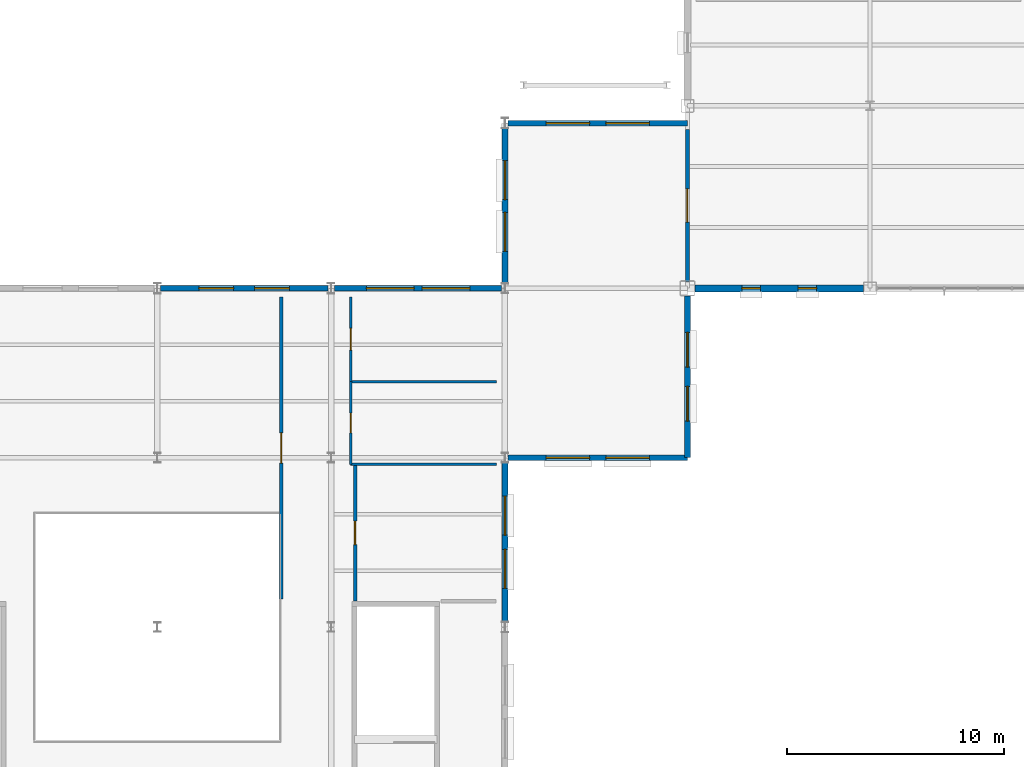
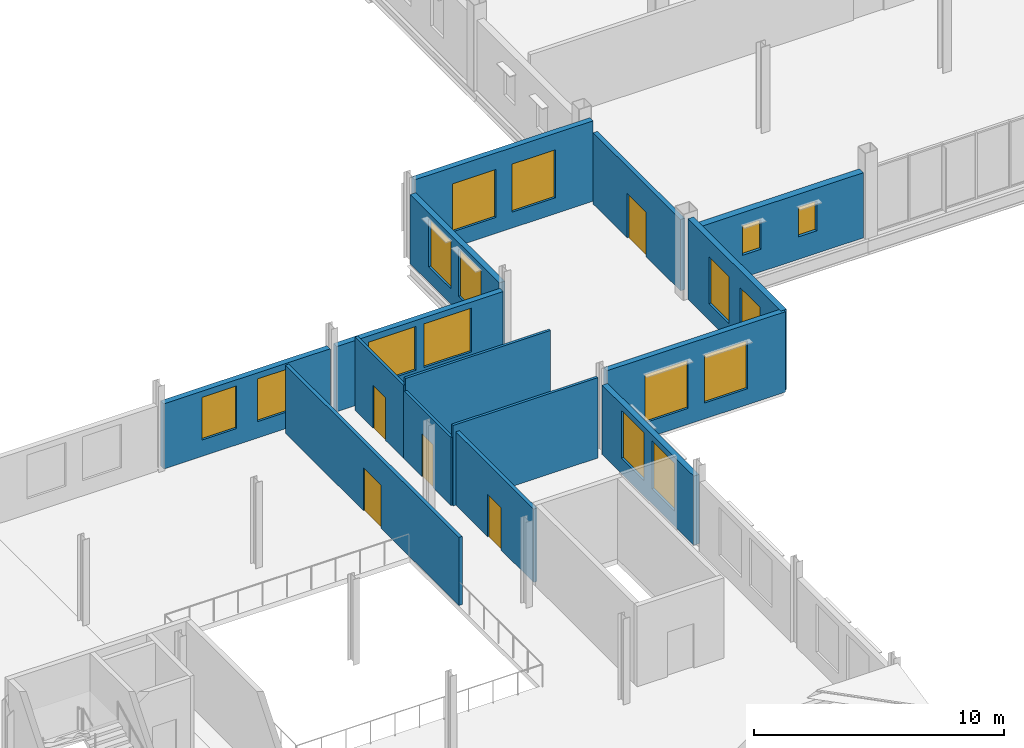
# One storey, part 37 of 45: 16 windows, 15 walls, 5 doors, 21 openings.
"""IFC4 building model written with IfcOpenShell, lengths in metres."""

import ifcopenshell
import ifcopenshell.guid

model = None  # the IFC model being written
_history = None  # IfcOwnerHistory: only IFC2X3 demands one
_inside = {}  # id of a spatial element -> (the spatial element, [elements in it])
_under = {}  # id of a project, library or spatial element -> (it, [spatial elements below it])
_declared = {}  # id of a project -> (the project, [libraries it declares])
_typed = {}  # id of a type object -> (the type object, [elements of that type])
_made_of = {}  # id of a material, layer set ... -> (it, [elements and type objects made of it])


def new_model(schema):
    """Start an empty IFC model of exactly this schema.

    Asked for "IFC4X3", IfcOpenShell would pick the latest addendum, in which some entities
    have other attributes; the version numbers below select the first issue.
    IFC2X3 requires an IfcOwnerHistory on every rooted entity: one is made here for all.
    """
    global model, _history
    if schema == "IFC4X3":
        model = ifcopenshell.file(schema_version=(4, 3, 0, 0))
    else:
        model = ifcopenshell.file(schema=schema)
    _inside.clear()
    _under.clear()
    _declared.clear()
    _typed.clear()
    _made_of.clear()
    _history = None
    if model.schema == "IFC2X3":
        org = make("IfcOrganization", Name="unknown")
        user = make(
            "IfcPersonAndOrganization",
            ThePerson=make("IfcPerson", FamilyName="unknown"),
            TheOrganization=org,
        )
        app = make(
            "IfcApplication",
            ApplicationDeveloper=org,
            Version="unknown",
            ApplicationFullName="unknown",
            ApplicationIdentifier="unknown",
        )
        _history = make(
            "IfcOwnerHistory",
            OwningUser=user,
            OwningApplication=app,
            ChangeAction="ADDED",
            CreationDate=0,
        )
    return model


def make(cls, **values):
    """One entity of the class cls with the attributes given. An attribute that is None is left unset."""
    return model.create_entity(
        cls, **{name: value for name, value in values.items() if value is not None}
    )


def rooted(cls, **values):
    """An entity with a GlobalId (a new one), such as an element, a storey or a relation."""
    return make(cls, GlobalId=ifcopenshell.guid.new(), OwnerHistory=_history, **values)


def si_unit(unit_type, name, prefix=None):
    """IfcSIUnit, for example si_unit("LENGTHUNIT", "METRE", prefix="MILLI")."""
    return make("IfcSIUnit", UnitType=unit_type, Prefix=prefix, Name=name)


def assignment(units):
    """IfcUnitAssignment: the units of a project."""
    return None if units is None else make("IfcUnitAssignment", Units=units)


def point(xyz):
    """IfcCartesianPoint."""
    return None if xyz is None else make("IfcCartesianPoint", Coordinates=xyz)


def direction(xyz):
    """IfcDirection."""
    return None if xyz is None else make("IfcDirection", DirectionRatios=xyz)


def frame(location, z_axis=None, x_axis=None):
    """IfcAxis2Placement3D, a coordinate frame: its origin and axes. An axis left out is left unset."""
    return make(
        "IfcAxis2Placement3D",
        Location=point(location),
        Axis=direction(z_axis),
        RefDirection=direction(x_axis),
    )


def frame_2d(location, x_axis=None):
    """IfcAxis2Placement2D, a coordinate frame in the plane: its origin and x axis."""
    return make(
        "IfcAxis2Placement2D", Location=point(location), RefDirection=direction(x_axis)
    )


def origin():
    """The frame at (0, 0, 0) with its axes left unset."""
    return frame((0.0, 0.0, 0.0))


def place(relative_to, where):
    """IfcLocalPlacement: puts the frame where relative to a parent placement (None: the world)."""
    return make(
        "IfcLocalPlacement", PlacementRelTo=relative_to, RelativePlacement=where
    )


def context(
    kind, dimensions, precision=None, world=None, true_north=None, identifier=None
):
    """IfcGeometricRepresentationContext, for example the 3D "Model" context."""
    return make(
        "IfcGeometricRepresentationContext",
        ContextIdentifier=identifier,
        ContextType=kind,
        CoordinateSpaceDimension=dimensions,
        Precision=precision,
        WorldCoordinateSystem=world,
        TrueNorth=true_north,
    )


def subcontext(parent, identifier, kind, view, scale=None):
    """IfcGeometricRepresentationSubContext, for example "Body" below "Model"."""
    return make(
        "IfcGeometricRepresentationSubContext",
        ContextIdentifier=identifier,
        ContextType=kind,
        ParentContext=parent,
        TargetScale=scale,
        TargetView=view,
    )


def project(units=None, contexts=None):
    """IfcProject with its units and contexts."""
    return rooted(
        "IfcProject",
        Name="project",
        RepresentationContexts=contexts,
        UnitsInContext=assignment(units),
    )


def spatial(cls, under=None, at=None, **own):
    """A site, building, storey or space (cls), placed at a placement, below another one or the project."""
    s = rooted(cls, ObjectPlacement=at, **own)
    if under is not None:
        _under.setdefault(under.id(), (under, []))[1].append(s)
    return s


def profile(cls, at=None, kind="AREA", **sizes):
    """A parametric profile (cls). Its sizes go by their IFC names, for example OverallWidth=200.0."""
    return make(cls, ProfileType=kind, Position=at, **sizes)


def rectangle(**sizes):
    """IfcRectangleProfileDef."""
    return profile("IfcRectangleProfileDef", **sizes)


def extrude(swept, where, along, depth):
    """IfcExtrudedAreaSolid: the profile swept, set in the frame where, extruded along a direction by depth."""
    return make(
        "IfcExtrudedAreaSolid",
        SweptArea=swept,
        Position=where,
        ExtrudedDirection=direction(along),
        Depth=depth,
    )


def shape(context_of_items, identifier, shape_type, items):
    """IfcShapeRepresentation: the items that make up one representation, for example the "Body"."""
    return make(
        "IfcShapeRepresentation",
        ContextOfItems=context_of_items,
        RepresentationIdentifier=identifier,
        RepresentationType=shape_type,
        Items=items,
    )


def material(Name=None, Category=None):
    """IfcMaterial."""
    return make("IfcMaterial", Name=Name, Category=Category)


def layer(
    of_material, thickness, ventilated=None, Name=None, Category=None, Priority=None
):
    """IfcMaterialLayer: one layer of a wall or slab, of a material (None: an air gap)."""
    return make(
        "IfcMaterialLayer",
        Material=of_material,
        LayerThickness=thickness,
        IsVentilated=ventilated,
        Name=Name,
        Category=Category,
        Priority=Priority,
    )


def layer_set(layers, Name=None):
    """IfcMaterialLayerSet."""
    return make("IfcMaterialLayerSet", MaterialLayers=layers, LayerSetName=Name)


def made_of(thing, what):
    """Note that an element or type object is made of a material, layer set ...; save() writes the relation."""
    if what is not None:
        _made_of.setdefault(what.id(), (what, []))[1].append(thing)
    return thing


def type_object(cls, material=None, **own):
    """A type object (cls), such as IfcWallType, which elements share."""
    return made_of(rooted(cls, **own), material)


def element(
    cls,
    number,
    at=None,
    inside=None,
    cuts=None,
    type_object=None,
    material=None,
    context=None,
    identifier="Body",
    shape_type=None,
    held_by="IfcProductDefinitionShape",
    body=None,
    shapes=None,
    **own,
):
    """One element of the class cls, such as IfcWall. Its Tag is "e" and its number.

    at: its placement. inside: the storey or other place that contains it. cuts: it is an
    opening in that element (IfcRelVoidsElement). A single representation is given by context,
    identifier, shape_type and body (its items); several are given by shapes. held_by: the class
    of the entity that holds the representations. save() writes the other relations.
    """
    e = rooted(cls, Tag="e%d" % number, ObjectPlacement=at, **own)
    if body is not None:
        shapes = [shape(context, identifier, shape_type, body)]
    if shapes is not None:
        e.Representation = make(held_by, Representations=shapes)
    if inside is not None:
        _inside.setdefault(inside.id(), (inside, []))[1].append(e)
    if cuts is not None:
        rooted(
            "IfcRelVoidsElement", RelatingBuildingElement=cuts, RelatedOpeningElement=e
        )
    if type_object is not None:
        _typed.setdefault(type_object.id(), (type_object, []))[1].append(e)
    return made_of(e, material)


def fill(opening, filler):
    """IfcRelFillsElement: the door or window that sits in an opening."""
    return rooted(
        "IfcRelFillsElement",
        RelatingOpeningElement=opening,
        RelatedBuildingElement=filler,
    )


def aggregate(whole, parts):
    """IfcRelAggregates: a whole, such as a stair, and the parts it consists of."""
    return rooted("IfcRelAggregates", RelatingObject=whole, RelatedObjects=parts)


def save(model, path):
    """Write the relations noted so far, then the file.

    IfcRelAggregates (storeys below a building ...), IfcRelContainedInSpatialStructure (elements
    in a storey), IfcRelDefinesByType, IfcRelAssociatesMaterial and IfcRelDeclares: one each for
    every whole, place, type object, material and project.
    """
    for whole, parts in _under.values():
        aggregate(whole, parts)
    for where, things in _inside.values():
        rooted(
            "IfcRelContainedInSpatialStructure",
            RelatedElements=things,
            RelatingStructure=where,
        )
    for kind, things in _typed.values():
        rooted("IfcRelDefinesByType", RelatedObjects=things, RelatingType=kind)
    for what, things in _made_of.values():
        rooted("IfcRelAssociatesMaterial", RelatedObjects=things, RelatingMaterial=what)
    for by, libraries in _declared.values():
        rooted("IfcRelDeclares", RelatingContext=by, RelatedDefinitions=libraries)
    model.write(path)


model = new_model("IFC4")

# Units and contexts
model_context = context("Model", 3, precision=1e-05, world=origin(), true_north=direction((0.0, 1.0)))
body_context = subcontext(model_context, "Body", "Model", "MODEL_VIEW")
ifc_project = project(units=[si_unit("LENGTHUNIT", "METRE"), si_unit("AREAUNIT", "SQUARE_METRE"), si_unit("VOLUMEUNIT", "CUBIC_METRE"), si_unit("PLANEANGLEUNIT", "RADIAN"), si_unit("MASSUNIT", "GRAM", prefix="KILO")], contexts=[model_context])

# Site, building, storey
site_placement = place(None, origin())
site = spatial("IfcSite", under=ifc_project, at=site_placement, CompositionType="ELEMENT")
building_placement = place(site_placement, origin())
building = spatial("IfcBuilding", under=site, at=building_placement, Name="Yukiwa Park Conservatory and Herbarium", CompositionType="ELEMENT")
storey_placement = place(building_placement, frame((0.0, 0.0, 9.0)))
storey = spatial("IfcBuildingStorey", under=building, at=storey_placement, Name="L02", CompositionType="ELEMENT", Elevation=9.0)

# Wall, openings, windows
ifc_material_1 = material(Name="Pale Granite Cladding", Category="masonry")
ifc_layer_1 = layer(ifc_material_1, 0.320068359375)
ifc_layer_set_1 = layer_set([ifc_layer_1], Name="Pale Granite Cladding")
wall_type_1 = type_object("IfcWallType", Name="WL-EXT-GRAN-320", PredefinedType="SOLIDWALL", material=ifc_layer_set_1)
wall_1_placement = place(storey_placement, frame((116.75, 78.0, 0.0), z_axis=(0.0, 0.0, 1.0), x_axis=(1.0, 0.0, 0.0)))
wall_1 = element("IfcWall", 1, at=wall_1_placement, inside=storey, type_object=wall_type_1, Name="L02 exterior envelope wall 212", PredefinedType="SOLIDWALL", context=body_context, shape_type="SweptSolid", body=[
    extrude(rectangle(XDim=7.75, YDim=0.320068359375, at=frame_2d((3.875, 0.0))), origin(), (0.0, 0.0, 1.0), 3.18798828125),
])
opening_1_placement = place(wall_1_placement, frame((2.157958984375, 0.0, 1.10009765625)))
opening_1 = element("IfcOpeningElement", 2, at=opening_1_placement, cuts=wall_1, Name="Opening W-27", PredefinedType="OPENING", context=body_context, shape_type="SweptSolid", body=[
    extrude(rectangle(XDim=0.85009765625, YDim=1.449951171875, at=frame_2d((0.425048828125, 0.72509765625))), frame((0.0, 0.169921875, 0.0), z_axis=(0.0, -1.0, 0.0), x_axis=(1.0, 0.0, 0.0)), (0.0, 0.0, 1.0), 0.340087890625),
])
opening_2_placement = place(wall_1_placement, frame((4.741943359375, 0.0, 1.10009765625)))
opening_2 = element("IfcOpeningElement", 3, at=opening_2_placement, cuts=wall_1, Name="Opening W-27", PredefinedType="OPENING", context=body_context, shape_type="SweptSolid", body=[
    extrude(rectangle(XDim=0.85009765625, YDim=1.449951171875, at=frame_2d((0.425048828125, 0.72509765625))), frame((0.0, 0.169921875, 0.0), z_axis=(0.0, -1.0, 0.0), x_axis=(1.0, 0.0, 0.0)), (0.0, 0.0, 1.0), 0.340087890625),
])
ifc_material_2 = material(Name="Triple Low-E Insulated Glass", Category="glass")
window_type_1 = type_object("IfcWindowType", Name="WN-HB-0850X1450", PartitioningType="SINGLE_PANEL", PredefinedType="WINDOW", material=ifc_material_2)
window_1_placement = place(opening_1_placement, origin())
window_1 = element("IfcWindow", 4, at=window_1_placement, inside=storey, type_object=window_type_1, Name="L02 deep-reveal triple-glazed window 129", OverallHeight=1.449951171875, OverallWidth=0.85009765625, PartitioningType="SINGLE_PANEL", PredefinedType="WINDOW", context=body_context, shape_type="SweptSolid", body=[
    extrude(rectangle(XDim=0.85009765625, YDim=1.449951171875, at=frame_2d((0.425048828125, 0.72509765625))), frame((0.0, 0.030029296875, 0.0), z_axis=(0.0, -1.0, 0.0), x_axis=(1.0, 0.0, 0.0)), (0.0, 0.0, 1.0), 0.06005859375),
])
fill(opening_1, window_1)
window_2_placement = place(opening_2_placement, origin())
window_2 = element("IfcWindow", 5, at=window_2_placement, inside=storey, type_object=window_type_1, Name="L02 deep-reveal triple-glazed window 130", OverallHeight=1.449951171875, OverallWidth=0.85009765625, PartitioningType="SINGLE_PANEL", PredefinedType="WINDOW", context=body_context, shape_type="SweptSolid", body=[
    extrude(rectangle(XDim=0.85009765625, YDim=1.449951171875, at=frame_2d((0.425048828125, 0.72509765625))), frame((0.0, 0.030029296875, 0.0), z_axis=(0.0, -1.0, 0.0), x_axis=(1.0, 0.0, 0.0)), (0.0, 0.0, 1.0), 0.06005859375),
])
fill(opening_2, window_2)

ifc_material_3 = material(Name="Charred Larch Cladding", Category="wood")
ifc_layer_2 = layer(ifc_material_3, 0.260009765625)
ifc_layer_set_2 = layer_set([ifc_layer_2], Name="Charred Larch Cladding")
wall_type_2 = type_object("IfcWallType", Name="WL-EXT-LARCH-260", PredefinedType="SOLIDWALL", material=ifc_layer_set_2)
wall_2_placement = place(storey_placement, frame((108.0, 62.64111328125, 0.0), z_axis=(0.0, 0.0, 1.0), x_axis=(0.0, 1.0, 0.0)))
wall_2 = element("IfcWall", 6, at=wall_2_placement, inside=storey, type_object=wall_type_2, Name="L02 exterior envelope wall 209", PredefinedType="SOLIDWALL", context=body_context, shape_type="SweptSolid", body=[
    extrude(rectangle(XDim=7.3388671875, YDim=0.260009765625, at=frame_2d((3.66943359375, 0.0))), origin(), (0.0, 0.0, 1.0), 3.385986328125),
])
opening_3_placement = place(wall_2_placement, frame((1.5458984375, 0.0, 0.75)))
opening_3 = element("IfcOpeningElement", 7, at=opening_3_placement, cuts=wall_2, Name="Opening W-12", PredefinedType="OPENING", context=body_context, shape_type="SweptSolid", body=[
    extrude(rectangle(XDim=1.800048828125, YDim=2.340087890625, at=frame_2d((0.89990234375, 1.169921875))), frame((0.0, 0.14013671875, 0.0), z_axis=(0.0, -1.0, 0.0), x_axis=(1.0, 0.0, 0.0)), (0.0, 0.0, 1.0), 0.280029296875),
])
opening_4_placement = place(wall_2_placement, frame((3.992919921875, 0.0, 0.75)))
opening_4 = element("IfcOpeningElement", 8, at=opening_4_placement, cuts=wall_2, Name="Opening W-12", PredefinedType="OPENING", context=body_context, shape_type="SweptSolid", body=[
    extrude(rectangle(XDim=1.800048828125, YDim=2.340087890625, at=frame_2d((0.89990234375, 1.169921875))), frame((0.0, 0.14013671875, 0.0), z_axis=(0.0, -1.0, 0.0), x_axis=(1.0, 0.0, 0.0)), (0.0, 0.0, 1.0), 0.280029296875),
])
ifc_material_4 = material(Name="Triple Low-E Insulated Glass", Category="glass")
window_type_2 = type_object("IfcWindowType", Name="WN-VS-1800X2400", PartitioningType="SINGLE_PANEL", PredefinedType="WINDOW", material=ifc_material_4)
window_3_placement = place(opening_3_placement, origin())
window_3 = element("IfcWindow", 9, at=window_3_placement, inside=storey, type_object=window_type_2, Name="L02 deep-reveal triple-glazed window 123", OverallHeight=2.340087890625, OverallWidth=1.800048828125, PartitioningType="SINGLE_PANEL", PredefinedType="WINDOW", context=body_context, shape_type="SweptSolid", body=[
    extrude(rectangle(XDim=1.800048828125, YDim=2.340087890625, at=frame_2d((0.89990234375, 1.169921875))), frame((0.0, 0.030029296875, 0.0), z_axis=(0.0, -1.0, 0.0), x_axis=(1.0, 0.0, 0.0)), (0.0, 0.0, 1.0), 0.06005859375),
])
fill(opening_3, window_3)
window_4_placement = place(opening_4_placement, origin())
window_4 = element("IfcWindow", 10, at=window_4_placement, inside=storey, type_object=window_type_2, Name="L02 deep-reveal triple-glazed window 124", OverallHeight=2.340087890625, OverallWidth=1.800048828125, PartitioningType="SINGLE_PANEL", PredefinedType="WINDOW", context=body_context, shape_type="SweptSolid", body=[
    extrude(rectangle(XDim=1.800048828125, YDim=2.340087890625, at=frame_2d((0.89990234375, 1.169921875))), frame((0.0, 0.030029296875, 0.0), z_axis=(0.0, -1.0, 0.0), x_axis=(1.0, 0.0, 0.0)), (0.0, 0.0, 1.0), 0.06005859375),
])
fill(opening_4, window_4)

wall_3_placement = place(storey_placement, frame((108.14990234375, 70.199951171875, 0.0), z_axis=(0.0, 0.0, 1.0), x_axis=(1.0, 0.0, 0.0)))
wall_3 = element("IfcWall", 11, at=wall_3_placement, inside=storey, type_object=wall_type_2, Name="L02 exterior envelope wall 210", PredefinedType="SOLIDWALL", context=body_context, shape_type="SweptSolid", body=[
    extrude(rectangle(XDim=8.25, YDim=0.260009765625, at=frame_2d((4.125, 0.0))), origin(), (0.0, 0.0, 1.0), 3.93505859375),
])
opening_5_placement = place(wall_3_placement, frame((1.75, 0.0, 0.780029296875)))
opening_5 = element("IfcOpeningElement", 12, at=opening_5_placement, cuts=wall_3, Name="Opening W-29", PredefinedType="OPENING", context=body_context, shape_type="SweptSolid", body=[
    extrude(rectangle(XDim=2.0, YDim=2.35009765625, at=frame_2d((1.0, 1.175048828125))), frame((0.0, 0.14013671875, 0.0), z_axis=(0.0, -1.0, 0.0), x_axis=(1.0, 0.0, 0.0)), (0.0, 0.0, 1.0), 0.280029296875),
])
opening_6_placement = place(wall_3_placement, frame((4.5, 0.0, 0.780029296875)))
opening_6 = element("IfcOpeningElement", 13, at=opening_6_placement, cuts=wall_3, Name="Opening W-29", PredefinedType="OPENING", context=body_context, shape_type="SweptSolid", body=[
    extrude(rectangle(XDim=2.0, YDim=2.35009765625, at=frame_2d((1.0, 1.175048828125))), frame((0.0, 0.14013671875, 0.0), z_axis=(0.0, -1.0, 0.0), x_axis=(1.0, 0.0, 0.0)), (0.0, 0.0, 1.0), 0.280029296875),
])
ifc_material_5 = material(Name="Triple Low-E Insulated Glass", Category="glass")
window_type_3 = type_object("IfcWindowType", Name="WN-VS-2000X2350", PartitioningType="SINGLE_PANEL", PredefinedType="WINDOW", material=ifc_material_5)
window_5_placement = place(opening_5_placement, origin())
window_5 = element("IfcWindow", 14, at=window_5_placement, inside=storey, type_object=window_type_3, Name="L02 deep-reveal triple-glazed window 125", OverallHeight=2.35009765625, OverallWidth=2.0, PartitioningType="SINGLE_PANEL", PredefinedType="WINDOW", context=body_context, shape_type="SweptSolid", body=[
    extrude(rectangle(XDim=2.0, YDim=2.35009765625, at=frame_2d((1.0, 1.175048828125))), frame((0.0, 0.030029296875, 0.0), z_axis=(0.0, -1.0, 0.0), x_axis=(1.0, 0.0, 0.0)), (0.0, 0.0, 1.0), 0.06005859375),
])
fill(opening_5, window_5)
window_6_placement = place(opening_6_placement, origin())
window_6 = element("IfcWindow", 15, at=window_6_placement, inside=storey, type_object=window_type_3, Name="L02 deep-reveal triple-glazed window 126", OverallHeight=2.35009765625, OverallWidth=2.0, PartitioningType="SINGLE_PANEL", PredefinedType="WINDOW", context=body_context, shape_type="SweptSolid", body=[
    extrude(rectangle(XDim=2.0, YDim=2.35009765625, at=frame_2d((1.0, 1.175048828125))), frame((0.0, 0.030029296875, 0.0), z_axis=(0.0, -1.0, 0.0), x_axis=(1.0, 0.0, 0.0)), (0.0, 0.0, 1.0), 0.06005859375),
])
fill(opening_6, window_6)

wall_4_placement = place(storey_placement, frame((116.39990234375, 70.199951171875, 0.0), z_axis=(0.0, 0.0, 1.0), x_axis=(0.0, 1.0, 0.0)))
wall_4 = element("IfcWall", 16, at=wall_4_placement, inside=storey, type_object=wall_type_2, Name="L02 exterior envelope wall 211", PredefinedType="SOLIDWALL", context=body_context, shape_type="SweptSolid", body=[
    extrude(rectangle(XDim=7.449951171875, YDim=0.260009765625, at=frame_2d((3.72509765625, 0.0))), origin(), (0.0, 0.0, 1.0), 3.93505859375),
])
opening_7_placement = place(wall_4_placement, frame((1.68310546875, 0.0, 0.800048828125)))
opening_7 = element("IfcOpeningElement", 17, at=opening_7_placement, cuts=wall_4, Name="Opening W-28", PredefinedType="OPENING", context=body_context, shape_type="SweptSolid", body=[
    extrude(rectangle(XDim=1.60009765625, YDim=2.300048828125, at=frame_2d((0.800048828125, 1.14990234375))), frame((0.0, 0.14013671875, 0.0), z_axis=(0.0, -1.0, 0.0), x_axis=(1.0, 0.0, 0.0)), (0.0, 0.0, 1.0), 0.280029296875),
])
opening_8_placement = place(wall_4_placement, frame((4.1669921875, 0.0, 0.800048828125)))
opening_8 = element("IfcOpeningElement", 18, at=opening_8_placement, cuts=wall_4, Name="Opening W-28", PredefinedType="OPENING", context=body_context, shape_type="SweptSolid", body=[
    extrude(rectangle(XDim=1.60009765625, YDim=2.300048828125, at=frame_2d((0.800048828125, 1.14990234375))), frame((0.0, 0.14013671875, 0.0), z_axis=(0.0, -1.0, 0.0), x_axis=(1.0, 0.0, 0.0)), (0.0, 0.0, 1.0), 0.280029296875),
])
ifc_material_6 = material(Name="Triple Low-E Insulated Glass", Category="glass")
window_type_4 = type_object("IfcWindowType", Name="WN-VS-1600X2300", PartitioningType="SINGLE_PANEL", PredefinedType="WINDOW", material=ifc_material_6)
window_7_placement = place(opening_7_placement, origin())
window_7 = element("IfcWindow", 19, at=window_7_placement, inside=storey, type_object=window_type_4, Name="L02 deep-reveal triple-glazed window 127", OverallHeight=2.300048828125, OverallWidth=1.60009765625, PartitioningType="SINGLE_PANEL", PredefinedType="WINDOW", context=body_context, shape_type="SweptSolid", body=[
    extrude(rectangle(XDim=1.60009765625, YDim=2.300048828125, at=frame_2d((0.800048828125, 1.14990234375))), frame((0.0, 0.030029296875, 0.0), z_axis=(0.0, -1.0, 0.0), x_axis=(1.0, 0.0, 0.0)), (0.0, 0.0, 1.0), 0.06005859375),
])
fill(opening_7, window_7)
window_8_placement = place(opening_8_placement, origin())
window_8 = element("IfcWindow", 20, at=window_8_placement, inside=storey, type_object=window_type_4, Name="L02 deep-reveal triple-glazed window 128", OverallHeight=2.300048828125, OverallWidth=1.60009765625, PartitioningType="SINGLE_PANEL", PredefinedType="WINDOW", context=body_context, shape_type="SweptSolid", body=[
    extrude(rectangle(XDim=1.60009765625, YDim=2.300048828125, at=frame_2d((0.800048828125, 1.14990234375))), frame((0.0, 0.030029296875, 0.0), z_axis=(0.0, -1.0, 0.0), x_axis=(1.0, 0.0, 0.0)), (0.0, 0.0, 1.0), 0.06005859375),
])
fill(opening_8, window_8)

wall_5_placement = place(storey_placement, frame((116.39990234375, 85.60009765625, 0.0), z_axis=(0.0, 0.0, 1.0), x_axis=(-1.0, 0.0, 0.0)))
wall_5 = element("IfcWall", 21, at=wall_5_placement, inside=storey, type_object=wall_type_2, Name="L02 exterior envelope wall 227", PredefinedType="SOLIDWALL", context=body_context, shape_type="SweptSolid", body=[
    extrude(rectangle(XDim=8.25, YDim=0.260009765625, at=frame_2d((4.125, 0.0))), origin(), (0.0, 0.0, 1.0), 3.93505859375),
])
opening_9_placement = place(wall_5_placement, frame((1.75, 0.0, 0.780029296875)))
opening_9 = element("IfcOpeningElement", 22, at=opening_9_placement, cuts=wall_5, Name="Opening W-29", PredefinedType="OPENING", context=body_context, shape_type="SweptSolid", body=[
    extrude(rectangle(XDim=2.0, YDim=2.35009765625, at=frame_2d((1.0, 1.175048828125))), frame((0.0, 0.14013671875, 0.0), z_axis=(0.0, -1.0, 0.0), x_axis=(1.0, 0.0, 0.0)), (0.0, 0.0, 1.0), 0.280029296875),
])
opening_10_placement = place(wall_5_placement, frame((4.5, 0.0, 0.780029296875)))
opening_10 = element("IfcOpeningElement", 23, at=opening_10_placement, cuts=wall_5, Name="Opening W-29", PredefinedType="OPENING", context=body_context, shape_type="SweptSolid", body=[
    extrude(rectangle(XDim=2.0, YDim=2.35009765625, at=frame_2d((1.0, 1.175048828125))), frame((0.0, 0.14013671875, 0.0), z_axis=(0.0, -1.0, 0.0), x_axis=(1.0, 0.0, 0.0)), (0.0, 0.0, 1.0), 0.280029296875),
])
window_9_placement = place(opening_9_placement, origin())
window_9 = element("IfcWindow", 24, at=window_9_placement, inside=storey, type_object=window_type_3, Name="L02 deep-reveal triple-glazed window 154", OverallHeight=2.35009765625, OverallWidth=2.0, PartitioningType="SINGLE_PANEL", PredefinedType="WINDOW", context=body_context, shape_type="SweptSolid", body=[
    extrude(rectangle(XDim=2.0, YDim=2.35009765625, at=frame_2d((1.0, 1.175048828125))), frame((0.0, 0.030029296875, 0.0), z_axis=(0.0, -1.0, 0.0), x_axis=(1.0, 0.0, 0.0)), (0.0, 0.0, 1.0), 0.06005859375),
])
fill(opening_9, window_9)
window_10_placement = place(opening_10_placement, origin())
window_10 = element("IfcWindow", 25, at=window_10_placement, inside=storey, type_object=window_type_3, Name="L02 deep-reveal triple-glazed window 155", OverallHeight=2.35009765625, OverallWidth=2.0, PartitioningType="SINGLE_PANEL", PredefinedType="WINDOW", context=body_context, shape_type="SweptSolid", body=[
    extrude(rectangle(XDim=2.0, YDim=2.35009765625, at=frame_2d((1.0, 1.175048828125))), frame((0.0, 0.030029296875, 0.0), z_axis=(0.0, -1.0, 0.0), x_axis=(1.0, 0.0, 0.0)), (0.0, 0.0, 1.0), 0.06005859375),
])
fill(opening_10, window_10)

wall_6_placement = place(storey_placement, frame((108.0, 85.35595703125, 0.0), z_axis=(0.0, 0.0, 1.0), x_axis=(0.0, -1.0, 0.0)))
wall_6 = element("IfcWall", 26, at=wall_6_placement, inside=storey, type_object=wall_type_2, Name="L02 exterior envelope wall 228", PredefinedType="SOLIDWALL", context=body_context, shape_type="SweptSolid", body=[
    extrude(rectangle(XDim=7.135986328125, YDim=0.260009765625, at=frame_2d((3.56787109375, 0.0))), origin(), (0.0, 0.0, 1.0), 3.385986328125),
])
opening_11_placement = place(wall_6_placement, frame((1.47900390625, 0.0, 0.75)))
opening_11 = element("IfcOpeningElement", 27, at=opening_11_placement, cuts=wall_6, Name="Opening W-12", PredefinedType="OPENING", context=body_context, shape_type="SweptSolid", body=[
    extrude(rectangle(XDim=1.800048828125, YDim=2.340087890625, at=frame_2d((0.89990234375, 1.169921875))), frame((0.0, 0.14013671875, 0.0), z_axis=(0.0, -1.0, 0.0), x_axis=(1.0, 0.0, 0.0)), (0.0, 0.0, 1.0), 0.280029296875),
])
opening_12_placement = place(wall_6_placement, frame((3.85693359375, 0.0, 0.75)))
opening_12 = element("IfcOpeningElement", 28, at=opening_12_placement, cuts=wall_6, Name="Opening W-12", PredefinedType="OPENING", context=body_context, shape_type="SweptSolid", body=[
    extrude(rectangle(XDim=1.800048828125, YDim=2.340087890625, at=frame_2d((0.89990234375, 1.169921875))), frame((0.0, 0.14013671875, 0.0), z_axis=(0.0, -1.0, 0.0), x_axis=(1.0, 0.0, 0.0)), (0.0, 0.0, 1.0), 0.280029296875),
])
window_11_placement = place(opening_11_placement, origin())
window_11 = element("IfcWindow", 29, at=window_11_placement, inside=storey, type_object=window_type_2, Name="L02 deep-reveal triple-glazed window 156", OverallHeight=2.340087890625, OverallWidth=1.800048828125, PartitioningType="SINGLE_PANEL", PredefinedType="WINDOW", context=body_context, shape_type="SweptSolid", body=[
    extrude(rectangle(XDim=1.800048828125, YDim=2.340087890625, at=frame_2d((0.89990234375, 1.169921875))), frame((0.0, 0.030029296875, 0.0), z_axis=(0.0, -1.0, 0.0), x_axis=(1.0, 0.0, 0.0)), (0.0, 0.0, 1.0), 0.06005859375),
])
fill(opening_11, window_11)
window_12_placement = place(opening_12_placement, origin())
window_12 = element("IfcWindow", 30, at=window_12_placement, inside=storey, type_object=window_type_2, Name="L02 deep-reveal triple-glazed window 157", OverallHeight=2.340087890625, OverallWidth=1.800048828125, PartitioningType="SINGLE_PANEL", PredefinedType="WINDOW", context=body_context, shape_type="SweptSolid", body=[
    extrude(rectangle(XDim=1.800048828125, YDim=2.340087890625, at=frame_2d((0.89990234375, 1.169921875))), frame((0.0, 0.030029296875, 0.0), z_axis=(0.0, -1.0, 0.0), x_axis=(1.0, 0.0, 0.0)), (0.0, 0.0, 1.0), 0.06005859375),
])
fill(opening_12, window_12)

wall_7_placement = place(storey_placement, frame((107.85009765625, 78.0, 0.0), z_axis=(0.0, 0.0, 1.0), x_axis=(-1.0, 0.0, 0.0)))
wall_7 = element("IfcWall", 31, at=wall_7_placement, inside=storey, type_object=wall_type_2, Name="L02 exterior envelope wall 229", PredefinedType="SOLIDWALL", context=body_context, shape_type="SweptSolid", body=[
    extrude(rectangle(XDim=7.7001953125, YDim=0.260009765625, at=frame_2d((3.85009765625, 0.0))), origin(), (0.0, 0.0, 1.0), 3.18798828125),
])
opening_13_placement = place(wall_7_placement, frame((1.467041015625, 0.0, 0.75)))
opening_13 = element("IfcOpeningElement", 32, at=opening_13_placement, cuts=wall_7, Name="Opening W-13", PredefinedType="OPENING", context=body_context, shape_type="SweptSolid", body=[
    extrude(rectangle(XDim=2.199951171875, YDim=2.139892578125, at=frame_2d((1.10009765625, 1.06982421875))), frame((0.0, 0.14013671875, 0.0), z_axis=(0.0, -1.0, 0.0), x_axis=(1.0, 0.0, 0.0)), (0.0, 0.0, 1.0), 0.280029296875),
])
opening_14_placement = place(wall_7_placement, frame((4.032958984375, 0.0, 0.75)))
opening_14 = element("IfcOpeningElement", 33, at=opening_14_placement, cuts=wall_7, Name="Opening W-13", PredefinedType="OPENING", context=body_context, shape_type="SweptSolid", body=[
    extrude(rectangle(XDim=2.199951171875, YDim=2.139892578125, at=frame_2d((1.10009765625, 1.06982421875))), frame((0.0, 0.14013671875, 0.0), z_axis=(0.0, -1.0, 0.0), x_axis=(1.0, 0.0, 0.0)), (0.0, 0.0, 1.0), 0.280029296875),
])
ifc_material_7 = material(Name="Triple Low-E Insulated Glass", Category="glass")
window_type_5 = type_object("IfcWindowType", Name="WN-VS-2200X2400", PartitioningType="SINGLE_PANEL", PredefinedType="WINDOW", material=ifc_material_7)
window_13_placement = place(opening_13_placement, origin())
window_13 = element("IfcWindow", 34, at=window_13_placement, inside=storey, type_object=window_type_5, Name="L02 deep-reveal triple-glazed window 158", OverallHeight=2.139892578125, OverallWidth=2.199951171875, PartitioningType="SINGLE_PANEL", PredefinedType="WINDOW", context=body_context, shape_type="SweptSolid", body=[
    extrude(rectangle(XDim=2.199951171875, YDim=2.139892578125, at=frame_2d((1.10009765625, 1.06982421875))), frame((0.0, 0.030029296875, 0.0), z_axis=(0.0, -1.0, 0.0), x_axis=(1.0, 0.0, 0.0)), (0.0, 0.0, 1.0), 0.06005859375),
])
fill(opening_13, window_13)
window_14_placement = place(opening_14_placement, origin())
window_14 = element("IfcWindow", 35, at=window_14_placement, inside=storey, type_object=window_type_5, Name="L02 deep-reveal triple-glazed window 159", OverallHeight=2.139892578125, OverallWidth=2.199951171875, PartitioningType="SINGLE_PANEL", PredefinedType="WINDOW", context=body_context, shape_type="SweptSolid", body=[
    extrude(rectangle(XDim=2.199951171875, YDim=2.139892578125, at=frame_2d((1.10009765625, 1.06982421875))), frame((0.0, 0.030029296875, 0.0), z_axis=(0.0, -1.0, 0.0), x_axis=(1.0, 0.0, 0.0)), (0.0, 0.0, 1.0), 0.06005859375),
])
fill(opening_14, window_14)

wall_8_placement = place(storey_placement, frame((99.85009765625, 78.0, 0.0), z_axis=(0.0, 0.0, 1.0), x_axis=(-1.0, 0.0, 0.0)))
wall_8 = element("IfcWall", 36, at=wall_8_placement, inside=storey, type_object=wall_type_2, Name="L02 exterior envelope wall 230", PredefinedType="SOLIDWALL", context=body_context, shape_type="SweptSolid", body=[
    extrude(rectangle(XDim=7.7001953125, YDim=0.260009765625, at=frame_2d((3.85009765625, 0.0))), origin(), (0.0, 0.0, 1.0), 3.18798828125),
])
opening_15_placement = place(wall_8_placement, frame((1.76708984375, 0.0, 0.800048828125)))
opening_15 = element("IfcOpeningElement", 37, at=opening_15_placement, cuts=wall_8, Name="Opening W-28", PredefinedType="OPENING", context=body_context, shape_type="SweptSolid", body=[
    extrude(rectangle(XDim=1.60009765625, YDim=2.090087890625, at=frame_2d((0.800048828125, 1.044921875))), frame((0.0, 0.14013671875, 0.0), z_axis=(0.0, -1.0, 0.0), x_axis=(1.0, 0.0, 0.0)), (0.0, 0.0, 1.0), 0.280029296875),
])
opening_16_placement = place(wall_8_placement, frame((4.3330078125, 0.0, 0.800048828125)))
opening_16 = element("IfcOpeningElement", 38, at=opening_16_placement, cuts=wall_8, Name="Opening W-28", PredefinedType="OPENING", context=body_context, shape_type="SweptSolid", body=[
    extrude(rectangle(XDim=1.60009765625, YDim=2.090087890625, at=frame_2d((0.800048828125, 1.044921875))), frame((0.0, 0.14013671875, 0.0), z_axis=(0.0, -1.0, 0.0), x_axis=(1.0, 0.0, 0.0)), (0.0, 0.0, 1.0), 0.280029296875),
])
window_15_placement = place(opening_15_placement, origin())
window_15 = element("IfcWindow", 39, at=window_15_placement, inside=storey, type_object=window_type_4, Name="L02 deep-reveal triple-glazed window 160", OverallHeight=2.090087890625, OverallWidth=1.60009765625, PartitioningType="SINGLE_PANEL", PredefinedType="WINDOW", context=body_context, shape_type="SweptSolid", body=[
    extrude(rectangle(XDim=1.60009765625, YDim=2.090087890625, at=frame_2d((0.800048828125, 1.044921875))), frame((0.0, 0.030029296875, 0.0), z_axis=(0.0, -1.0, 0.0), x_axis=(1.0, 0.0, 0.0)), (0.0, 0.0, 1.0), 0.06005859375),
])
fill(opening_15, window_15)
window_16_placement = place(opening_16_placement, origin())
window_16 = element("IfcWindow", 40, at=window_16_placement, inside=storey, type_object=window_type_4, Name="L02 deep-reveal triple-glazed window 161", OverallHeight=2.090087890625, OverallWidth=1.60009765625, PartitioningType="SINGLE_PANEL", PredefinedType="WINDOW", context=body_context, shape_type="SweptSolid", body=[
    extrude(rectangle(XDim=1.60009765625, YDim=2.090087890625, at=frame_2d((0.800048828125, 1.044921875))), frame((0.0, 0.030029296875, 0.0), z_axis=(0.0, -1.0, 0.0), x_axis=(1.0, 0.0, 0.0)), (0.0, 0.0, 1.0), 0.06005859375),
])
fill(opening_16, window_16)

# Wall, opening, door
ifc_material_8 = material(Name="Gypsum Board Partition", Category="gypsum")
ifc_layer_3 = layer(ifc_material_8, 0.199951171875)
ifc_layer_set_3 = layer_set([ifc_layer_3], Name="Gypsum Board Partition")
wall_type_3 = type_object("IfcWallType", Name="WL-PART-FIRE-200", PredefinedType="SOLIDWALL", material=ifc_layer_set_3)
wall_9_placement = place(storey_placement, frame((116.39990234375, 78.300048828125, 0.0), z_axis=(0.0, 0.0, 1.0), x_axis=(0.0, 1.0, 0.0)))
wall_9 = element("IfcWall", 41, at=wall_9_placement, inside=storey, type_object=wall_type_3, Name="L02 interior partition wall 289", PredefinedType="SOLIDWALL", context=body_context, shape_type="SweptSolid", body=[
    extrude(rectangle(XDim=7.0, YDim=0.199951171875, at=frame_2d((3.5, 0.0))), origin(), (0.0, 0.0, 1.0), 3.489990234375),
])
opening_17_placement = place(wall_9_placement, frame((2.75, 0.0, 0.0)))
opening_17 = element("IfcOpeningElement", 42, at=opening_17_placement, cuts=wall_9, Name="Opening FD-04", PredefinedType="OPENING", context=body_context, shape_type="SweptSolid", body=[
    extrude(rectangle(XDim=1.52001953125, YDim=2.179931640625, at=frame_2d((0.760009765625, 1.08984375))), frame((0.0, 0.10986328125, 0.0), z_axis=(0.0, -1.0, 0.0), x_axis=(1.0, 0.0, 0.0)), (0.0, 0.0, 1.0), 0.219970703125),
])
ifc_material_9 = material(Name="Steel Q235B", Category="steel")
door_type_1 = type_object("IfcDoorType", Name="DR-FIRE-FD90-1500", OperationType="DOUBLE_DOOR_SINGLE_SWING", PredefinedType="DOOR", material=ifc_material_9)
door_1_placement = place(opening_17_placement, origin())
door_1 = element("IfcDoor", 43, at=door_1_placement, inside=storey, type_object=door_type_1, Name="L02 Tower L02 fire compartment door", OperationType="DOUBLE_DOOR_SINGLE_SWING", OverallHeight=2.179931640625, OverallWidth=1.52001953125, PredefinedType="DOOR", context=body_context, shape_type="SweptSolid", body=[
    extrude(rectangle(XDim=1.52001953125, YDim=2.179931640625, at=frame_2d((0.760009765625, 1.08984375))), frame((0.0, 0.02490234375, 0.0), z_axis=(0.0, -1.0, 0.0), x_axis=(1.0, 0.0, 0.0)), (0.0, 0.0, 1.0), 0.050048828125),
])
fill(opening_17, door_1)

ifc_material_10 = material(Name="Gypsum Board Partition", Category="gypsum")
ifc_layer_4 = layer(ifc_material_10, 0.159912109375)
ifc_layer_set_4 = layer_set([ifc_layer_4], Name="Gypsum Board Partition")
wall_type_4 = type_object("IfcWallType", Name="WL-PART-GYP-160", PredefinedType="PARTITIONING", material=ifc_layer_set_4)
wall_10_placement = place(storey_placement, frame((97.699951171875, 63.699951171875, 0.0), z_axis=(0.0, 0.0, 1.0), x_axis=(0.0, 1.0, 0.0)))
wall_10 = element("IfcWall", 44, at=wall_10_placement, inside=storey, type_object=wall_type_4, Name="L02 interior partition wall 282", PredefinedType="PARTITIONING", context=body_context, shape_type="SweptSolid", body=[
    extrude(rectangle(XDim=13.900146484375, YDim=0.159912109375, at=frame_2d((6.9501953125, 0.0))), origin(), (0.0, 0.0, 1.0), 3.330078125),
])
opening_18_placement = place(wall_10_placement, frame((6.25, 0.0, 0.0)))
opening_18 = element("IfcOpeningElement", 45, at=opening_18_placement, cuts=wall_10, Name="Opening GD-14", PredefinedType="OPENING", context=body_context, shape_type="SweptSolid", body=[
    extrude(rectangle(XDim=1.39990234375, YDim=2.10009765625, at=frame_2d((0.699951171875, 1.050048828125))), frame((0.0, 0.08984375, 0.0), z_axis=(0.0, -1.0, 0.0), x_axis=(1.0, 0.0, 0.0)), (0.0, 0.0, 1.0), 0.179931640625),
])
ifc_material_11 = material(Name="Laminated Tempered Safety Glass", Category="glass")
door_type_2 = type_object("IfcDoorType", Name="DR-GLZ-1400", OperationType="DOUBLE_DOOR_SINGLE_SWING", PredefinedType="DOOR", material=ifc_material_11)
door_2_placement = place(opening_18_placement, origin())
door_2 = element("IfcDoor", 46, at=door_2_placement, inside=storey, type_object=door_type_2, Name="L02 Ethnobotany Cabinet Gallery door", OperationType="DOUBLE_DOOR_SINGLE_SWING", OverallHeight=2.10009765625, OverallWidth=1.39990234375, PredefinedType="DOOR", context=body_context, shape_type="SweptSolid", body=[
    extrude(rectangle(XDim=1.39990234375, YDim=2.10009765625, at=frame_2d((0.699951171875, 1.050048828125))), frame((0.0, 0.02490234375, 0.0), z_axis=(0.0, -1.0, 0.0), x_axis=(1.0, 0.0, 0.0)), (0.0, 0.0, 1.0), 0.050048828125),
])
fill(opening_18, door_2)

wall_11_placement = place(storey_placement, frame((101.10009765625, 63.60009765625, 0.0), z_axis=(0.0, 0.0, 1.0), x_axis=(0.0, 1.0, 0.0)))
wall_11 = element("IfcWall", 47, at=wall_11_placement, inside=storey, type_object=wall_type_4, Name="L02 interior partition wall 283", PredefinedType="PARTITIONING", context=body_context, shape_type="SweptSolid", body=[
    extrude(rectangle(XDim=6.2998046875, YDim=0.159912109375, at=frame_2d((3.14990234375, 0.0))), origin(), (0.0, 0.0, 1.0), 3.5859375),
])
opening_19_placement = place(wall_11_placement, frame((2.60009765625, 0.0, 0.0)))
opening_19 = element("IfcOpeningElement", 48, at=opening_19_placement, cuts=wall_11, Name="Opening ID-11", PredefinedType="OPENING", context=body_context, shape_type="SweptSolid", body=[
    extrude(rectangle(XDim=1.080078125, YDim=2.080078125, at=frame_2d((0.5400390625, 1.0400390625))), frame((0.0, 0.08984375, 0.0), z_axis=(0.0, -1.0, 0.0), x_axis=(1.0, 0.0, 0.0)), (0.0, 0.0, 1.0), 0.179931640625),
])
ifc_material_12 = material(Name="Charred Larch Cladding", Category="wood")
door_type_3 = type_object("IfcDoorType", Name="DR-INT-1100", OperationType="SINGLE_SWING_RIGHT", PredefinedType="DOOR", material=ifc_material_12)
door_3_placement = place(opening_19_placement, origin())
door_3 = element("IfcDoor", 49, at=door_3_placement, inside=storey, type_object=door_type_3, Name="L02 Workshop Room door", OperationType="SINGLE_SWING_RIGHT", OverallHeight=2.080078125, OverallWidth=1.080078125, PredefinedType="DOOR", context=body_context, shape_type="SweptSolid", body=[
    extrude(rectangle(XDim=1.080078125, YDim=2.080078125, at=frame_2d((0.5400390625, 1.0400390625))), frame((0.0, 0.02490234375, 0.0), z_axis=(0.0, -1.0, 0.0), x_axis=(1.0, 0.0, 0.0)), (0.0, 0.0, 1.0), 0.050048828125),
])
fill(opening_19, door_3)

ifc_material_13 = material(Name="Gypsum Board Partition", Category="gypsum")
ifc_layer_5 = layer(ifc_material_13, 0.1201171875)
ifc_layer_set_5 = layer_set([ifc_layer_5], Name="Gypsum Board Partition")
wall_type_5 = type_object("IfcWallType", Name="WL-PART-WET-150", PredefinedType="PARTITIONING", material=ifc_layer_set_5)
wall_12_placement = place(storey_placement, frame((100.89990234375, 69.89990234375, 0.0), z_axis=(0.0, 0.0, 1.0), x_axis=(0.0, 1.0, 0.0)))
wall_12 = element("IfcWall", 50, at=wall_12_placement, inside=storey, type_object=wall_type_5, Name="L02 interior partition wall 285", PredefinedType="PARTITIONING", context=body_context, shape_type="SweptSolid", body=[
    extrude(rectangle(XDim=3.800048828125, YDim=0.1201171875, at=frame_2d((1.89990234375, 0.0))), origin(), (0.0, 0.0, 1.0), 3.330078125),
])
opening_20_placement = place(wall_12_placement, frame((1.449951171875, 0.0, 0.0)))
opening_20 = element("IfcOpeningElement", 51, at=opening_20_placement, cuts=wall_12, Name="Opening ID-09", PredefinedType="OPENING", context=body_context, shape_type="SweptSolid", body=[
    extrude(rectangle(XDim=0.89990234375, YDim=2.10009765625, at=frame_2d((0.449951171875, 1.050048828125))), frame((0.0, 0.070068359375, 0.0), z_axis=(0.0, -1.0, 0.0), x_axis=(1.0, 0.0, 0.0)), (0.0, 0.0, 1.0), 0.14013671875),
])
ifc_material_14 = material(Name="Charred Larch Cladding", Category="wood")
door_type_4 = type_object("IfcDoorType", Name="DR-INT-900", OperationType="SINGLE_SWING_LEFT", PredefinedType="DOOR", material=ifc_material_14)
door_4_placement = place(opening_20_placement, origin())
door_4 = element("IfcDoor", 52, at=door_4_placement, inside=storey, type_object=door_type_4, Name="L02 Public WC door", OperationType="SINGLE_SWING_LEFT", OverallHeight=2.10009765625, OverallWidth=0.89990234375, PredefinedType="DOOR", context=body_context, shape_type="SweptSolid", body=[
    extrude(rectangle(XDim=0.89990234375, YDim=2.10009765625, at=frame_2d((0.449951171875, 1.050048828125))), frame((0.0, 0.02490234375, 0.0), z_axis=(0.0, -1.0, 0.0), x_axis=(1.0, 0.0, 0.0)), (0.0, 0.0, 1.0), 0.050048828125),
])
fill(opening_20, door_4)

wall_13_placement = place(storey_placement, frame((100.89990234375, 73.699951171875, 0.0), z_axis=(0.0, 0.0, 1.0), x_axis=(0.0, 1.0, 0.0)))
wall_13 = element("IfcWall", 53, at=wall_13_placement, inside=storey, type_object=wall_type_5, Name="L02 interior partition wall 286", PredefinedType="PARTITIONING", context=body_context, shape_type="SweptSolid", body=[
    extrude(rectangle(XDim=3.900146484375, YDim=0.1201171875, at=frame_2d((1.9501953125, 0.0))), origin(), (0.0, 0.0, 1.0), 3.5859375),
])
opening_21_placement = place(wall_13_placement, frame((1.449951171875, 0.0, 0.0)))
opening_21 = element("IfcOpeningElement", 54, at=opening_21_placement, cuts=wall_13, Name="Opening ID-10", PredefinedType="OPENING", context=body_context, shape_type="SweptSolid", body=[
    extrude(rectangle(XDim=1.0, YDim=2.10009765625, at=frame_2d((0.5, 1.050048828125))), frame((0.0, 0.070068359375, 0.0), z_axis=(0.0, -1.0, 0.0), x_axis=(1.0, 0.0, 0.0)), (0.0, 0.0, 1.0), 0.14013671875),
])
ifc_material_15 = material(Name="Charred Larch Cladding", Category="wood")
door_type_5 = type_object("IfcDoorType", Name="DR-ACC-1000", OperationType="SINGLE_SWING_LEFT", PredefinedType="DOOR", material=ifc_material_15)
door_5_placement = place(opening_21_placement, origin())
door_5 = element("IfcDoor", 55, at=door_5_placement, inside=storey, type_object=door_type_5, Name="L02 Accessible WC door", OperationType="SINGLE_SWING_LEFT", OverallHeight=2.10009765625, OverallWidth=1.0, PredefinedType="DOOR", context=body_context, shape_type="SweptSolid", body=[
    extrude(rectangle(XDim=1.0, YDim=2.10009765625, at=frame_2d((0.5, 1.050048828125))), frame((0.0, 0.02490234375, 0.0), z_axis=(0.0, -1.0, 0.0), x_axis=(1.0, 0.0, 0.0)), (0.0, 0.0, 1.0), 0.050048828125),
])
fill(opening_21, door_5)

# Walls
for number, where, z_axis, x_axis, name in (
    (56, (100.89990234375, 69.89990234375, 0.0), (0.0, 0.0, 1.0), (1.0, 0.0, 0.0), "L02 interior partition wall 287"),
    (57, (100.89990234375, 73.699951171875, 0.0), (0.0, 0.0, 1.0), (1.0, 0.0, 0.0), "L02 interior partition wall 288"),
):
    element("IfcWall", number, at=place(storey_placement, frame(where, z_axis=z_axis, x_axis=x_axis)), inside=storey, type_object=wall_type_5, Name=name, PredefinedType="PARTITIONING", context=body_context, shape_type="SweptSolid", body=[
        extrude(rectangle(XDim=6.7001953125, YDim=0.1201171875, at=frame_2d((3.35009765625, 0.0))), origin(), (0.0, 0.0, 1.0), 3.93505859375),
    ])

save(model, "model.ifc")
